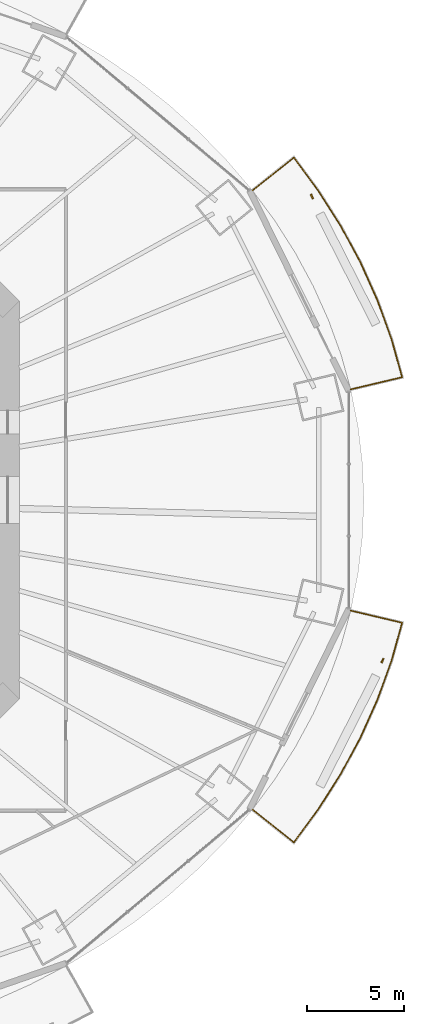
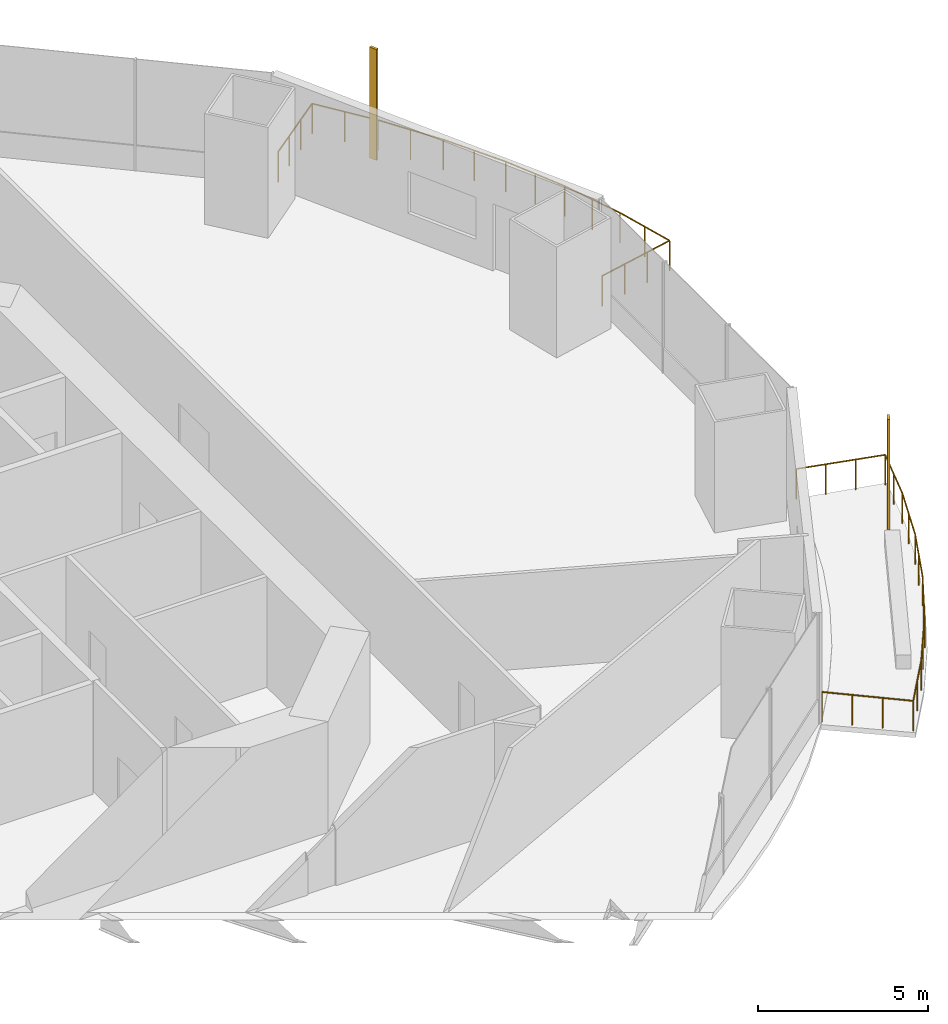
# One storey, part 21 of 22: 2 railings, 2 shading devices.
"""IFC4 building model written with IfcOpenShell, lengths in metres."""

from ifc_helpers import new_model, si_unit, direction, frame, origin, origin_2d, place, context, subcontext, project, spatial, rectangle, circle, extrude, material, material_profile, profile_set, type_object, element, save


model = new_model("IFC4")

# Units and contexts
model_context = context("Model", 3, precision=1e-05, world=origin(), true_north=direction((0.0, 1.0)))
body_context = subcontext(model_context, "Body", "Model", "MODEL_VIEW")
ifc_project = project(units=[si_unit("LENGTHUNIT", "METRE"), si_unit("AREAUNIT", "SQUARE_METRE"), si_unit("VOLUMEUNIT", "CUBIC_METRE"), si_unit("PLANEANGLEUNIT", "RADIAN"), si_unit("MASSUNIT", "GRAM", prefix="KILO")], contexts=[model_context])

# Site, building, storey
site_placement = place(None, origin())
site = spatial("IfcSite", under=ifc_project, at=site_placement, CompositionType="ELEMENT")
building_placement = place(site_placement, origin())
building = spatial("IfcBuilding", under=site, at=building_placement, Name="Marenthal Gate Tower", CompositionType="ELEMENT")
storey_placement = place(building_placement, frame((0.0, 0.0, 116.0)))
storey = spatial("IfcBuildingStorey", under=building, at=storey_placement, Name="L24", CompositionType="ELEMENT", Elevation=116.0)

# Railings
ifc_material_1 = material(Name="Stainless steel", Category="steel")
railing_type = type_object("IfcRailingType", Name="Balcony guard 1100", PredefinedType="GUARDRAIL", material=ifc_material_1)
railing_1_placement = place(storey_placement, frame((28.607666015625, 15.9423828125, 0.0)))
element("IfcRailing", 1, at=railing_1_placement, inside=storey, type_object=railing_type, Name="Balcony guard L24 bay 1", PredefinedType="GUARDRAIL", context=body_context, shape_type="SweptSolid", body=[
    extrude(circle(Radius=0.02392578125, at=origin_2d()), frame((0.0, 0.0, 1.076171875), z_axis=(0.78234035398, 0.622677225641, -0.014718804411), x_axis=(-0.622744685996, 0.782425112112, 0.0)), (0.0, 0.0, 1.0), 2.72021484375),
    extrude(circle(Radius=0.02392578125, at=origin_2d()), frame((2.128173828125, 1.69384765625, 1.0361328125), z_axis=(0.594374737218, -0.804188206676, 0.0), x_axis=(0.804188206676, 0.594374737218, 0.0)), (0.0, 0.0, 1.0), 2.1025390625),
    extrude(circle(Radius=0.02392578125, at=origin_2d()), frame((3.3779296875, 0.0029296875, 1.0361328125), z_axis=(0.537437089424, -0.843303844953, 0.0), x_axis=(0.843303844953, 0.537437089424, 0.0)), (0.0, 0.0, 1.0), 2.16552734375),
    extrude(circle(Radius=0.02392578125, at=origin_2d()), frame((4.541748046875, -1.8232421875, 1.0361328125), z_axis=(0.475203433283, -0.87987595546, 0.0), x_axis=(0.87987595546, 0.475203433283, 0.0)), (0.0, 0.0, 1.0), 2.149658203125),
    extrude(circle(Radius=0.02392578125, at=origin_2d()), frame((5.563232421875, -3.714599609375, 1.0361328125), z_axis=(0.40931851754, -0.912391555857, 0.0), x_axis=(0.912391555857, 0.40931851754, 0.0)), (0.0, 0.0, 1.0), 2.13525390625),
    extrude(circle(Radius=0.02392578125, at=origin_2d()), frame((6.437255859375, -5.662841796875, 1.0361328125), z_axis=(0.340071165829, -0.940399703409, 0.0), x_axis=(0.940399703409, 0.340071165829, 0.0)), (0.0, 0.0, 1.0), 2.122802734375),
    extrude(circle(Radius=0.02392578125, at=origin_2d()), frame((7.1591796875, -7.6591796875, 1.0361328125), z_axis=(0.269340401915, -0.963045039391, 0.0), x_axis=(0.963045039391, 0.269340401915, 0.0)), (0.0, 0.0, 1.0), 2.033203125),
    extrude(circle(Radius=0.02392578125, at=origin_2d()), frame((7.706787109375, -9.6171875, 1.0361328125), z_axis=(-0.972946801612, -0.230559942195, 0.014718501565), x_axis=(0.230584919848, -0.973052205557, 0.0)), (0.0, 0.0, 1.0), 2.72021484375),
    extrude(circle(Radius=0.02099609375, at=origin_2d()), origin(), (0.0, 0.0, 1.0), 1.052001953125),
    extrude(circle(Radius=0.02099609375, at=origin_2d()), frame((0.70947265625, 0.564697265625, -0.013427734375)), (0.0, 0.0, 1.0), 1.052001953125),
    extrude(circle(Radius=0.02099609375, at=origin_2d()), frame((1.418701171875, 1.129150390625, -0.026611328125)), (0.0, 0.0, 1.0), 1.052001953125),
    extrude(circle(Radius=0.02099609375, at=origin_2d()), frame((2.128173828125, 1.69384765625, -0.0400390625)), (0.0, 0.0, 1.0), 1.052001953125),
    extrude(circle(Radius=0.02099609375, at=origin_2d()), frame((2.7529296875, 0.848388671875, -0.0400390625)), (0.0, 0.0, 1.0), 1.052001953125),
    extrude(circle(Radius=0.02099609375, at=origin_2d()), frame((3.3779296875, 0.0029296875, -0.0400390625)), (0.0, 0.0, 1.0), 1.052001953125),
    extrude(circle(Radius=0.02099609375, at=origin_2d()), frame((3.9599609375, -0.91015625, -0.0400390625)), (0.0, 0.0, 1.0), 1.052001953125),
    extrude(circle(Radius=0.02099609375, at=origin_2d()), frame((4.541748046875, -1.8232421875, -0.0400390625)), (0.0, 0.0, 1.0), 1.052001953125),
    extrude(circle(Radius=0.02099609375, at=origin_2d()), frame((5.052490234375, -2.76904296875, -0.0400390625)), (0.0, 0.0, 1.0), 1.052001953125),
    extrude(circle(Radius=0.02099609375, at=origin_2d()), frame((5.563232421875, -3.714599609375, -0.0400390625)), (0.0, 0.0, 1.0), 1.052001953125),
    extrude(circle(Radius=0.02099609375, at=origin_2d()), frame((6.000244140625, -4.688720703125, -0.0400390625)), (0.0, 0.0, 1.0), 1.052001953125),
    extrude(circle(Radius=0.02099609375, at=origin_2d()), frame((6.437255859375, -5.662841796875, -0.0400390625)), (0.0, 0.0, 1.0), 1.052001953125),
    extrude(circle(Radius=0.02099609375, at=origin_2d()), frame((6.79833984375, -6.6611328125, -0.0400390625)), (0.0, 0.0, 1.0), 1.052001953125),
    extrude(circle(Radius=0.02099609375, at=origin_2d()), frame((7.1591796875, -7.6591796875, -0.0400390625)), (0.0, 0.0, 1.0), 1.052001953125),
    extrude(circle(Radius=0.02099609375, at=origin_2d()), frame((7.43310546875, -8.63818359375, -0.0400390625)), (0.0, 0.0, 1.0), 1.052001953125),
    extrude(circle(Radius=0.02099609375, at=origin_2d()), frame((7.706787109375, -9.6171875, -0.0400390625)), (0.0, 0.0, 1.0), 1.052001953125),
    extrude(circle(Radius=0.02099609375, at=origin_2d()), frame((6.824462890625, -9.826171875, -0.026611328125)), (0.0, 0.0, 1.0), 1.052001953125),
    extrude(circle(Radius=0.02099609375, at=origin_2d()), frame((5.9423828125, -10.035400390625, -0.013427734375)), (0.0, 0.0, 1.0), 1.052001953125),
    extrude(circle(Radius=0.02099609375, at=origin_2d()), frame((5.06005859375, -10.244384765625, 0.0)), (0.0, 0.0, 1.0), 1.052001953125),
])
railing_2_placement = place(storey_placement, frame((33.667724609375, -5.697998046875, 0.0)))
element("IfcRailing", 2, at=railing_2_placement, inside=storey, type_object=railing_type, Name="Balcony guard L24 bay 15", PredefinedType="GUARDRAIL", context=body_context, shape_type="SweptSolid", body=[
    extrude(circle(Radius=0.02392578125, at=origin_2d()), frame((0.0, 0.0, 1.076171875), z_axis=(0.972946801612, -0.230559942195, -0.014718501565), x_axis=(0.230584919848, 0.973052205557, 0.0)), (0.0, 0.0, 1.0), 2.72021484375),
    extrude(circle(Radius=0.02392578125, at=origin_2d()), frame((2.646728515625, -0.627197265625, 1.0361328125), z_axis=(-0.269340401915, -0.963045039391, 0.0), x_axis=(0.963045039391, -0.269340401915, 0.0)), (0.0, 0.0, 1.0), 2.033203125),
    extrude(circle(Radius=0.02392578125, at=origin_2d()), frame((2.09912109375, -2.585205078125, 1.0361328125), z_axis=(-0.340071165829, -0.940399703409, 0.0), x_axis=(0.940399703409, -0.340071165829, 0.0)), (0.0, 0.0, 1.0), 2.122802734375),
    extrude(circle(Radius=0.02392578125, at=origin_2d()), frame((1.377197265625, -4.58154296875, 1.0361328125), z_axis=(-0.40931851754, -0.912391555857, 0.0), x_axis=(0.912391555857, -0.40931851754, 0.0)), (0.0, 0.0, 1.0), 2.13525390625),
    extrude(circle(Radius=0.02392578125, at=origin_2d()), frame((0.503173828125, -6.52978515625, 1.0361328125), z_axis=(-0.475203433283, -0.87987595546, 0.0), x_axis=(0.87987595546, -0.475203433283, 0.0)), (0.0, 0.0, 1.0), 2.149658203125),
    extrude(circle(Radius=0.02392578125, at=origin_2d()), frame((-0.518310546875, -8.421142578125, 1.0361328125), z_axis=(-0.537437089424, -0.843303844953, 0.0), x_axis=(0.843303844953, -0.537437089424, 0.0)), (0.0, 0.0, 1.0), 2.16552734375),
    extrude(circle(Radius=0.02392578125, at=origin_2d()), frame((-1.68212890625, -10.247314453125, 1.0361328125), z_axis=(-0.594374737218, -0.804188206676, 0.0), x_axis=(0.804188206676, -0.594374737218, 0.0)), (0.0, 0.0, 1.0), 2.1025390625),
    extrude(circle(Radius=0.02392578125, at=origin_2d()), frame((-2.931884765625, -11.938232421875, 1.0361328125), z_axis=(-0.78234035398, 0.622677225641, 0.014718804411), x_axis=(-0.622744685996, -0.782425112112, 0.0)), (0.0, 0.0, 1.0), 2.72021484375),
    extrude(circle(Radius=0.02099609375, at=origin_2d()), origin(), (0.0, 0.0, 1.0), 1.052001953125),
    extrude(circle(Radius=0.02099609375, at=origin_2d()), frame((0.88232421875, -0.208984375, -0.013427734375)), (0.0, 0.0, 1.0), 1.052001953125),
    extrude(circle(Radius=0.02099609375, at=origin_2d()), frame((1.764404296875, -0.418212890625, -0.026611328125)), (0.0, 0.0, 1.0), 1.052001953125),
    extrude(circle(Radius=0.02099609375, at=origin_2d()), frame((2.646728515625, -0.627197265625, -0.0400390625)), (0.0, 0.0, 1.0), 1.052001953125),
    extrude(circle(Radius=0.02099609375, at=origin_2d()), frame((2.373046875, -1.606201171875, -0.0400390625)), (0.0, 0.0, 1.0), 1.052001953125),
    extrude(circle(Radius=0.02099609375, at=origin_2d()), frame((2.09912109375, -2.585205078125, -0.0400390625)), (0.0, 0.0, 1.0), 1.052001953125),
    extrude(circle(Radius=0.02099609375, at=origin_2d()), frame((1.73828125, -3.58349609375, -0.0400390625)), (0.0, 0.0, 1.0), 1.052001953125),
    extrude(circle(Radius=0.02099609375, at=origin_2d()), frame((1.377197265625, -4.58154296875, -0.0400390625)), (0.0, 0.0, 1.0), 1.052001953125),
    extrude(circle(Radius=0.02099609375, at=origin_2d()), frame((0.940185546875, -5.5556640625, -0.0400390625)), (0.0, 0.0, 1.0), 1.052001953125),
    extrude(circle(Radius=0.02099609375, at=origin_2d()), frame((0.503173828125, -6.52978515625, -0.0400390625)), (0.0, 0.0, 1.0), 1.052001953125),
    extrude(circle(Radius=0.02099609375, at=origin_2d()), frame((-0.007568359375, -7.4755859375, -0.0400390625)), (0.0, 0.0, 1.0), 1.052001953125),
    extrude(circle(Radius=0.02099609375, at=origin_2d()), frame((-0.518310546875, -8.421142578125, -0.0400390625)), (0.0, 0.0, 1.0), 1.052001953125),
    extrude(circle(Radius=0.02099609375, at=origin_2d()), frame((-1.10009765625, -9.334228515625, -0.0400390625)), (0.0, 0.0, 1.0), 1.052001953125),
    extrude(circle(Radius=0.02099609375, at=origin_2d()), frame((-1.68212890625, -10.247314453125, -0.0400390625)), (0.0, 0.0, 1.0), 1.052001953125),
    extrude(circle(Radius=0.02099609375, at=origin_2d()), frame((-2.30712890625, -11.0927734375, -0.0400390625)), (0.0, 0.0, 1.0), 1.052001953125),
    extrude(circle(Radius=0.02099609375, at=origin_2d()), frame((-2.931884765625, -11.938232421875, -0.0400390625)), (0.0, 0.0, 1.0), 1.052001953125),
    extrude(circle(Radius=0.02099609375, at=origin_2d()), frame((-3.641357421875, -11.37353515625, -0.026611328125)), (0.0, 0.0, 1.0), 1.052001953125),
    extrude(circle(Radius=0.02099609375, at=origin_2d()), frame((-4.3505859375, -10.80908203125, -0.013427734375)), (0.0, 0.0, 1.0), 1.052001953125),
    extrude(circle(Radius=0.02099609375, at=origin_2d()), frame((-5.06005859375, -10.244384765625, 0.0)), (0.0, 0.0, 1.0), 1.052001953125),
])

# Shading devices
ifc_material_2 = material(Name="Terracotta", Category="masonry")
ifc_material_profile = material_profile(ifc_material_2, rectangle(XDim=0.25, YDim=0.080078125, at=origin_2d()), Name="Terracotta baguette 250x80")
ifc_profile_set = profile_set([ifc_material_profile], Name="Terracotta")
shading_device_type = type_object("IfcShadingDeviceType", Name="Terracotta BAGUETTE SCREEN 250x80", PredefinedType="USERDEFINED", material=ifc_profile_set)
for number, where, z_axis, x_axis, name in (
    (3, (31.668212890625, 15.629150390625, -0.0400390625), (0.0, 0.0, 1.0), (-0.442731257123, 0.896654355907, 0.0), "Terracotta BAGUETTE L24 bay 1R"),
    (4, (35.300048828125, -8.2734375, -0.0400390625), (0.0, 0.0, 1.0), (0.442731257123, 0.896654355907, 0.0), "Terracotta BAGUETTE L24 bay 15R"),
):
    element("IfcShadingDevice", number, at=place(storey_placement, frame(where, z_axis=z_axis, x_axis=x_axis)), inside=storey, type_object=shading_device_type, Name=name, ObjectType="BAGUETTE SCREEN", PredefinedType="USERDEFINED", context=body_context, shape_type="SweptSolid", body=[
        extrude(rectangle(XDim=0.25, YDim=0.080078125, at=origin_2d()), origin(), (0.0, 0.0, 1.0), 3.969970703125),
    ])

save(model, "model.ifc")
